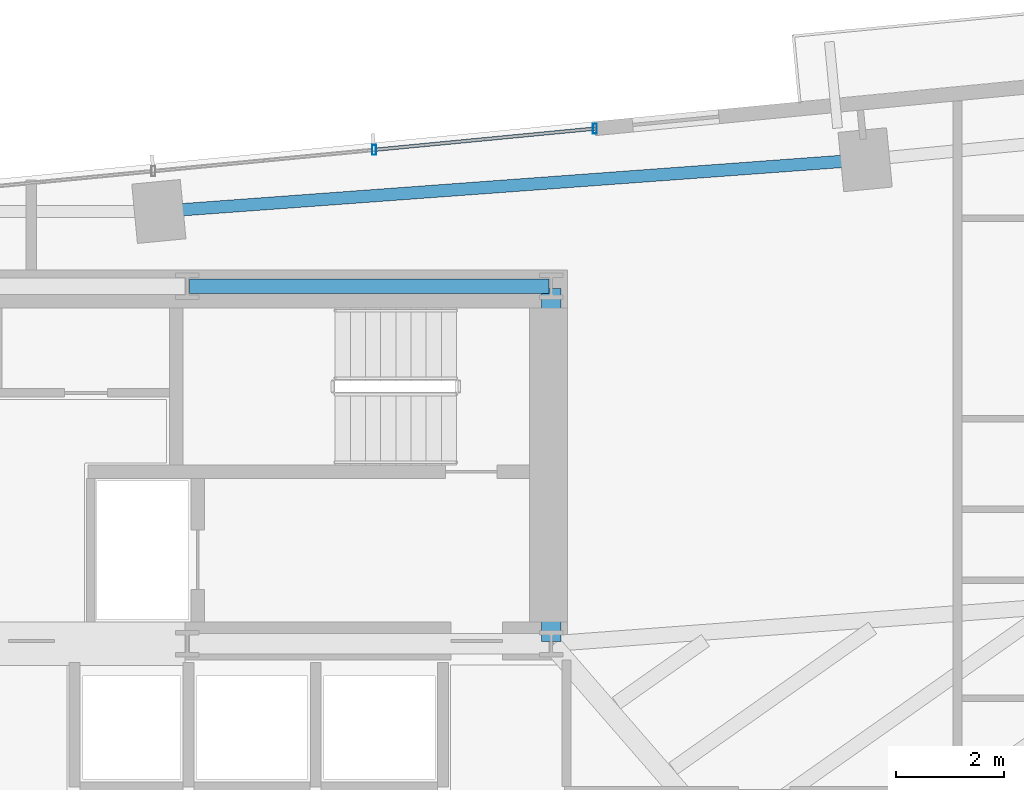
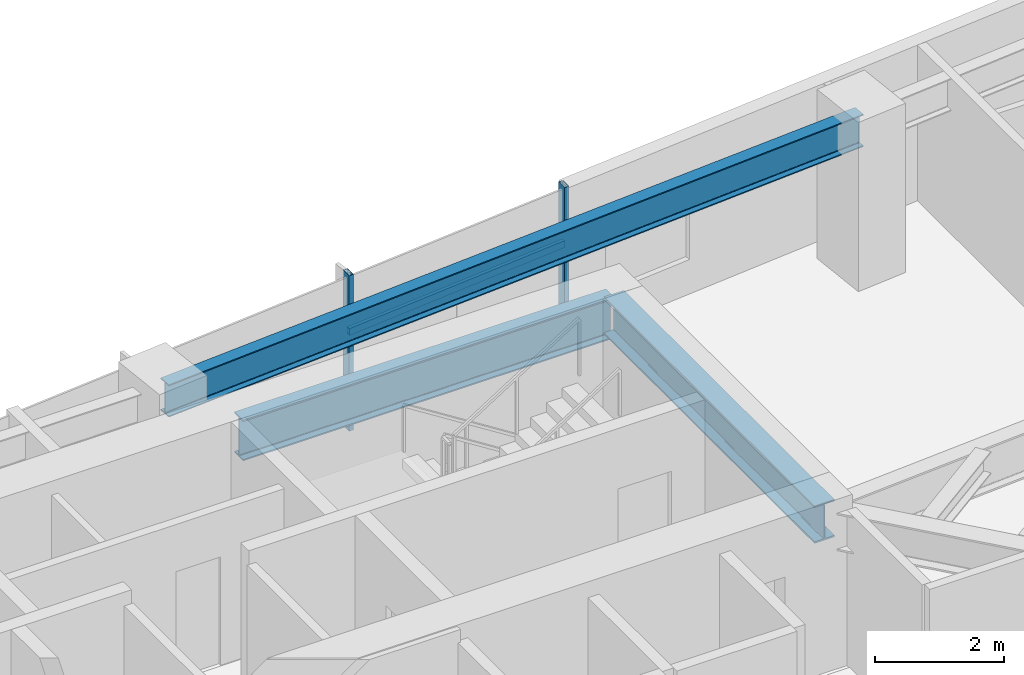
# One storey, part 17 of 27: 3 beams, 3 members, 1 element without a shape of its own.
"""IFC4 building model written with IfcOpenShell, lengths in metres."""

from ifc_helpers import new_model, si_unit, direction, frame, origin, origin_2d, place, context, subcontext, project, spatial, hollow_rectangle, i_section, extrude, source, transform, mapped, material, material_profile, profile_set, type_object, type_shapes, element, aggregate, save


model = new_model("IFC4")

# Units and contexts
model_context = context("Model", 3, precision=1e-05, world=origin(), true_north=direction((0.0, 1.0)))
body_context = subcontext(model_context, "Body", "Model", "MODEL_VIEW")
ifc_project = project(units=[si_unit("LENGTHUNIT", "METRE"), si_unit("AREAUNIT", "SQUARE_METRE"), si_unit("VOLUMEUNIT", "CUBIC_METRE"), si_unit("PLANEANGLEUNIT", "RADIAN"), si_unit("MASSUNIT", "GRAM", prefix="KILO")], contexts=[model_context])

# Site, building, storey
site_placement = place(None, origin())
site = spatial("IfcSite", under=ifc_project, at=site_placement, CompositionType="ELEMENT")
building_placement = place(site_placement, origin())
building = spatial("IfcBuilding", under=site, at=building_placement, Name="Astriad Promenade Condominiums", CompositionType="ELEMENT")
storey_placement = place(building_placement, frame((0.0, 0.0, 87.39990234375)))
storey = spatial("IfcBuildingStorey", under=building, at=storey_placement, Name="L24", CompositionType="ELEMENT", Elevation=87.39990234375)

# Beams
ifc_material_1 = material(Name="Steel ASTM A992 Grade 50", Category="steel")
ifc_material_profile_1 = material_profile(ifc_material_1, i_section(OverallWidth=0.267822265625, OverallDepth=0.76953125, WebThickness=0.015625, FlangeThickness=0.025390625, FilletRadius=0.021484375, at=origin_2d()), Name="W30X132")
ifc_profile_set_1 = profile_set([ifc_material_profile_1], Name="Steel ASTM A992 Grade 50")
beam_type_1 = type_object("IfcBeamType", Name="STEEL FLOOR GIRDER W30X132", PredefinedType="BEAM", material=ifc_profile_set_1)
shared_shape_1 = source(origin(), body_context, "Body", "SweptSolid", [
    extrude(i_section(OverallWidth=0.267822265625, OverallDepth=0.76953125, WebThickness=0.015625, FlangeThickness=0.025390625, FilletRadius=0.021484375, at=origin_2d()), origin(), (0.0, 0.0, 1.0), 6.64013671875),
])
type_shapes(beam_type_1, [shared_shape_1])
beam_1_placement = place(storey_placement, frame((38.919921875, 24.0, 2.55517578125), z_axis=(1.0, 0.0, 0.0), x_axis=(0.0, 1.0, 0.0)))
element("IfcBeam", 1, at=beam_1_placement, inside=storey, type_object=beam_type_1, Name="Core Ring Beam CG-N3-L24", PredefinedType="BEAM", context=body_context, shape_type="MappedRepresentation", body=[
    mapped(shared_shape_1, transform((0.0, 0.0, 0.0), scale=1.0)),
])
ifc_material_profile_2 = material_profile(ifc_material_1, i_section(OverallWidth=0.35791015625, OverallDepth=0.706298828125, WebThickness=0.018310546875, FlangeThickness=0.0302734375, FilletRadius=0.020263671875, at=origin_2d()), Name="W27X178")
ifc_profile_set_2 = profile_set([ifc_material_profile_2], Name="Steel ASTM A992 Grade 50")
beam_type_2 = type_object("IfcBeamType", Name="STEEL FLOOR GIRDER W27X178", PredefinedType="BEAM", material=ifc_profile_set_2)
shared_shape_2 = source(origin(), body_context, "Body", "SweptSolid", [
    extrude(i_section(OverallWidth=0.35791015625, OverallDepth=0.706298828125, WebThickness=0.018310546875, FlangeThickness=0.0302734375, FilletRadius=0.020263671875, at=origin_2d()), origin(), (0.0, 0.0, 1.0), 6.52001953125),
])
type_shapes(beam_type_2, [shared_shape_2])
beam_2_placement = place(storey_placement, frame((45.60009765625, 17.43994140625, 2.5869140625), z_axis=(0.0, 1.0, 0.0), x_axis=(-1.0, 0.0, 0.0)))
element("IfcBeam", 2, at=beam_2_placement, inside=storey, type_object=beam_type_2, Name="Core Ring Beam CG-E1-L24", PredefinedType="BEAM", context=body_context, shape_type="MappedRepresentation", body=[
    mapped(shared_shape_2, transform((0.0, 0.0, 0.0), scale=1.0)),
])
ifc_material_profile_3 = material_profile(ifc_material_1, i_section(OverallWidth=0.22900390625, OverallDepth=0.612060546875, WebThickness=0.011962890625, FlangeThickness=0.01953125, FilletRadius=0.017822265625, at=origin_2d()), Name="W24X84")
ifc_profile_set_3 = profile_set([ifc_material_profile_3], Name="Steel ASTM A992 Grade 50")
beam_type_3 = type_object("IfcBeamType", Name="STEEL SPANDREL BEAM W24X84", PredefinedType="SPANDREL", material=ifc_profile_set_3)
shared_shape_3 = source(origin(), body_context, "Body", "SweptSolid", [
    extrude(i_section(OverallWidth=0.22900390625, OverallDepth=0.612060546875, WebThickness=0.011962890625, FlangeThickness=0.01953125, FilletRadius=0.017822265625, at=origin_2d()), origin(), (0.0, 0.0, 1.0), 12.99462890625),
])
type_shapes(beam_type_3, [shared_shape_3])
beam_3_placement = place(storey_placement, frame((51.3544921875, 26.33203125, 2.634033203125), z_axis=(-0.997328518297, -0.073046742505, 0.0), x_axis=(0.073046742505, -0.997328518297, 0.0)))
element("IfcBeam", 3, at=beam_3_placement, inside=storey, type_object=beam_type_3, Name="Perimeter Spandrel Beam SP-N3-L24", PredefinedType="SPANDREL", context=body_context, shape_type="MappedRepresentation", body=[
    mapped(shared_shape_3, transform((0.0, 0.0, 0.0), scale=1.0)),
])

# Curtain wall, members
ifc_material_2 = material(Name="Anodised aluminium Black Dark Glass Unitised", Category="aluminium")
curtain_wall_type = type_object("IfcCurtainWallType", Name="CW-B2-DARK", PredefinedType="USERDEFINED", material=ifc_material_2)
curtain_wall_placement = place(storey_placement, origin())
curtain_wall = element("IfcCurtainWall", 4, at=curtain_wall_placement, inside=storey, type_object=curtain_wall_type, Name="CW-L24-N", ObjectType="UNITISED_CURTAIN_WALL", PredefinedType="USERDEFINED")
ifc_material_3 = material(Name="Anodised aluminium 6063-T6 Black", Category="aluminium")
ifc_material_profile_4 = material_profile(ifc_material_3, hollow_rectangle(XDim=0.074951171875, YDim=0.18505859375, WallThickness=0.00439453125, at=origin_2d()), Name="ALU-MUL-75X185")
ifc_profile_set_4 = profile_set([ifc_material_profile_4], Name="Anodised aluminium 6063-T6 Black")
member_type_1 = type_object("IfcMemberType", Name="MUL-ALU-MUL-75X185", PredefinedType="MULLION", material=ifc_profile_set_4)
shared_shape_4 = source(origin(), body_context, "Body", "SweptSolid", [
    extrude(hollow_rectangle(XDim=0.074951171875, YDim=0.18505859375, WallThickness=0.00439453125, at=origin_2d()), origin(), (0.0, 0.0, 1.0), 2.940185546875),
])
type_shapes(member_type_1, [shared_shape_4])
member_1_placement = place(storey_placement, frame((42.330078125, 26.51708984375, 0.0), z_axis=(0.0, 0.0, 1.0), x_axis=(1.0, 0.0, 0.0)))
member_1 = element("IfcMember", 5, at=member_1_placement, type_object=member_type_1, Name="CW-L24-N-MUL-03", PredefinedType="MULLION", context=body_context, shape_type="MappedRepresentation", body=[
    mapped(shared_shape_4, transform((0.0, 0.0, 0.0), scale=1.0)),
])
member_2_placement = place(storey_placement, frame((46.40625, 26.90966796875, 0.0), z_axis=(0.0, 0.0, 1.0), x_axis=(1.0, 0.0, 0.0)))
member_2 = element("IfcMember", 6, at=member_2_placement, type_object=member_type_1, Name="CW-L24-N-MUL-04", PredefinedType="MULLION", context=body_context, shape_type="MappedRepresentation", body=[
    mapped(shared_shape_4, transform((0.0, 0.0, 0.0), scale=1.0)),
])
ifc_material_profile_5 = material_profile(ifc_material_3, hollow_rectangle(XDim=0.06494140625, YDim=0.1298828125, WallThickness=0.00390625, at=origin_2d()), Name="ALU-TRN-65X130")
ifc_profile_set_5 = profile_set([ifc_material_profile_5], Name="Anodised aluminium 6063-T6 Black")
member_type_2 = type_object("IfcMemberType", Name="TRN-ALU-TRN-65X130", PredefinedType="USERDEFINED", material=ifc_profile_set_5)
shared_shape_5 = source(origin(), body_context, "Body", "SweptSolid", [
    extrude(hollow_rectangle(XDim=0.06494140625, YDim=0.1298828125, WallThickness=0.00390625, at=origin_2d()), origin(), (0.0, 0.0, 1.0), 4.094970703125),
])
type_shapes(member_type_2, [shared_shape_5])
member_3_placement = place(storey_placement, frame((42.330078125, 26.51708984375, 1.822998046875), z_axis=(0.995394161585, 0.09586690296, 0.0), x_axis=(-0.09586690296, 0.995394161585, 0.0)))
member_3 = element("IfcMember", 7, at=member_3_placement, type_object=member_type_2, Name="CW-L24-N-TRN-03-0", ObjectType="TRANSOM", PredefinedType="USERDEFINED", context=body_context, shape_type="MappedRepresentation", body=[
    mapped(shared_shape_5, transform((0.0, 0.0, 0.0), scale=1.0)),
])
aggregate(curtain_wall, [member_1, member_2, member_3])

save(model, "model.ifc")
